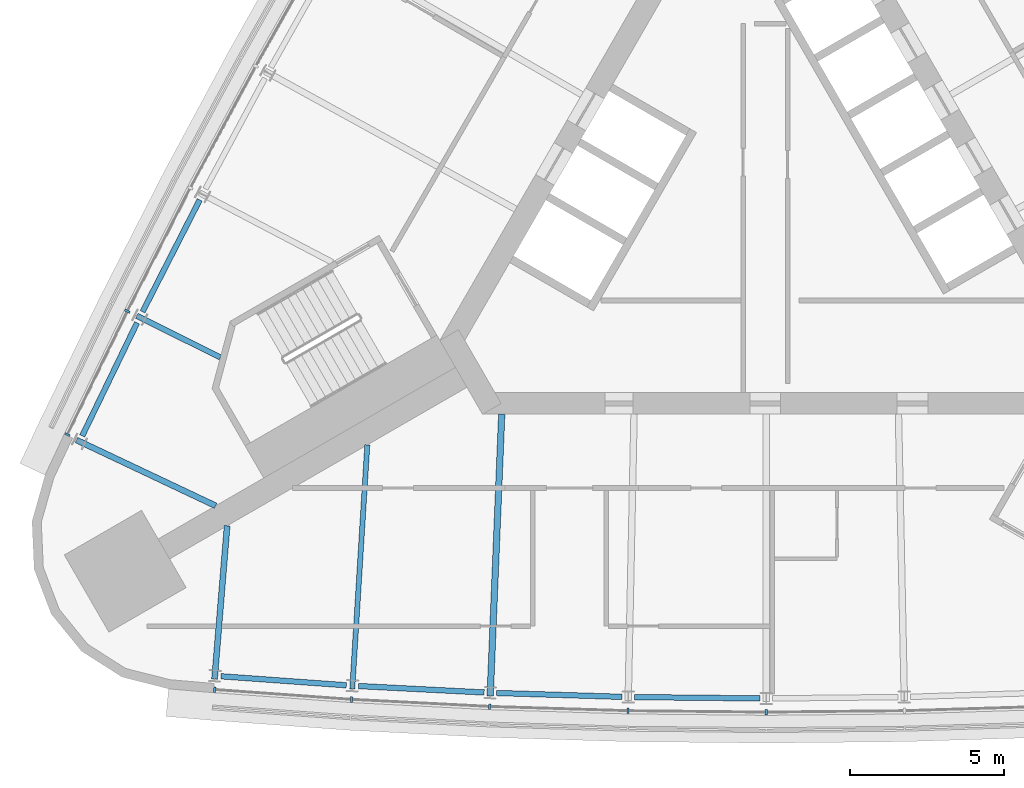
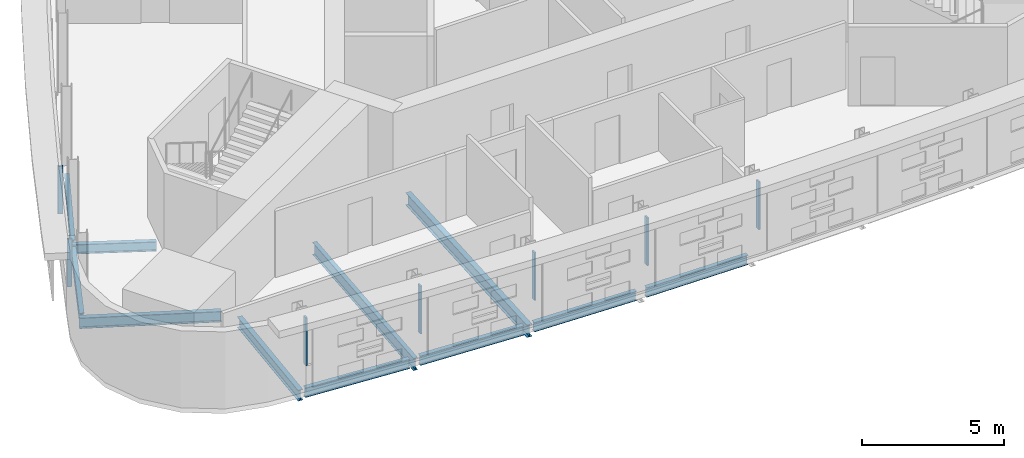
# One storey, part 2 of 13: 11 beams, 7 members, 2 elements without a shape of their own.
"""IFC4 building model written with IfcOpenShell, lengths in metres."""

import ifcopenshell
import ifcopenshell.guid

model = None  # the IFC model being written
_history = None  # IfcOwnerHistory: only IFC2X3 demands one
_inside = {}  # id of a spatial element -> (the spatial element, [elements in it])
_under = {}  # id of a project, library or spatial element -> (it, [spatial elements below it])
_declared = {}  # id of a project -> (the project, [libraries it declares])
_typed = {}  # id of a type object -> (the type object, [elements of that type])
_made_of = {}  # id of a material, layer set ... -> (it, [elements and type objects made of it])


def new_model(schema):
    """Start an empty IFC model of exactly this schema.

    Asked for "IFC4X3", IfcOpenShell would pick the latest addendum, in which some entities
    have other attributes; the version numbers below select the first issue.
    IFC2X3 requires an IfcOwnerHistory on every rooted entity: one is made here for all.
    """
    global model, _history
    if schema == "IFC4X3":
        model = ifcopenshell.file(schema_version=(4, 3, 0, 0))
    else:
        model = ifcopenshell.file(schema=schema)
    _inside.clear()
    _under.clear()
    _declared.clear()
    _typed.clear()
    _made_of.clear()
    _history = None
    if model.schema == "IFC2X3":
        org = make("IfcOrganization", Name="unknown")
        user = make(
            "IfcPersonAndOrganization",
            ThePerson=make("IfcPerson", FamilyName="unknown"),
            TheOrganization=org,
        )
        app = make(
            "IfcApplication",
            ApplicationDeveloper=org,
            Version="unknown",
            ApplicationFullName="unknown",
            ApplicationIdentifier="unknown",
        )
        _history = make(
            "IfcOwnerHistory",
            OwningUser=user,
            OwningApplication=app,
            ChangeAction="ADDED",
            CreationDate=0,
        )
    return model


def make(cls, **values):
    """One entity of the class cls with the attributes given. An attribute that is None is left unset."""
    return model.create_entity(
        cls, **{name: value for name, value in values.items() if value is not None}
    )


def rooted(cls, **values):
    """An entity with a GlobalId (a new one), such as an element, a storey or a relation."""
    return make(cls, GlobalId=ifcopenshell.guid.new(), OwnerHistory=_history, **values)


def si_unit(unit_type, name, prefix=None):
    """IfcSIUnit, for example si_unit("LENGTHUNIT", "METRE", prefix="MILLI")."""
    return make("IfcSIUnit", UnitType=unit_type, Prefix=prefix, Name=name)


def assignment(units):
    """IfcUnitAssignment: the units of a project."""
    return None if units is None else make("IfcUnitAssignment", Units=units)


def point(xyz):
    """IfcCartesianPoint."""
    return None if xyz is None else make("IfcCartesianPoint", Coordinates=xyz)


def direction(xyz):
    """IfcDirection."""
    return None if xyz is None else make("IfcDirection", DirectionRatios=xyz)


def frame(location, z_axis=None, x_axis=None):
    """IfcAxis2Placement3D, a coordinate frame: its origin and axes. An axis left out is left unset."""
    return make(
        "IfcAxis2Placement3D",
        Location=point(location),
        Axis=direction(z_axis),
        RefDirection=direction(x_axis),
    )


def frame_2d(location, x_axis=None):
    """IfcAxis2Placement2D, a coordinate frame in the plane: its origin and x axis."""
    return make(
        "IfcAxis2Placement2D", Location=point(location), RefDirection=direction(x_axis)
    )


def origin():
    """The frame at (0, 0, 0) with its axes left unset."""
    return frame((0.0, 0.0, 0.0))


def origin_2d():
    """The frame at (0, 0) in the plane with its x axis left unset."""
    return frame_2d((0.0, 0.0))


def place(relative_to, where):
    """IfcLocalPlacement: puts the frame where relative to a parent placement (None: the world)."""
    return make(
        "IfcLocalPlacement", PlacementRelTo=relative_to, RelativePlacement=where
    )


def context(
    kind, dimensions, precision=None, world=None, true_north=None, identifier=None
):
    """IfcGeometricRepresentationContext, for example the 3D "Model" context."""
    return make(
        "IfcGeometricRepresentationContext",
        ContextIdentifier=identifier,
        ContextType=kind,
        CoordinateSpaceDimension=dimensions,
        Precision=precision,
        WorldCoordinateSystem=world,
        TrueNorth=true_north,
    )


def subcontext(parent, identifier, kind, view, scale=None):
    """IfcGeometricRepresentationSubContext, for example "Body" below "Model"."""
    return make(
        "IfcGeometricRepresentationSubContext",
        ContextIdentifier=identifier,
        ContextType=kind,
        ParentContext=parent,
        TargetScale=scale,
        TargetView=view,
    )


def project(units=None, contexts=None):
    """IfcProject with its units and contexts."""
    return rooted(
        "IfcProject",
        Name="project",
        RepresentationContexts=contexts,
        UnitsInContext=assignment(units),
    )


def spatial(cls, under=None, at=None, **own):
    """A site, building, storey or space (cls), placed at a placement, below another one or the project."""
    s = rooted(cls, ObjectPlacement=at, **own)
    if under is not None:
        _under.setdefault(under.id(), (under, []))[1].append(s)
    return s


def profile(cls, at=None, kind="AREA", **sizes):
    """A parametric profile (cls). Its sizes go by their IFC names, for example OverallWidth=200.0."""
    return make(cls, ProfileType=kind, Position=at, **sizes)


def rectangle(**sizes):
    """IfcRectangleProfileDef."""
    return profile("IfcRectangleProfileDef", **sizes)


def i_section(**sizes):
    """IfcIShapeProfileDef."""
    return profile("IfcIShapeProfileDef", **sizes)


def extrude(swept, where, along, depth):
    """IfcExtrudedAreaSolid: the profile swept, set in the frame where, extruded along a direction by depth."""
    return make(
        "IfcExtrudedAreaSolid",
        SweptArea=swept,
        Position=where,
        ExtrudedDirection=direction(along),
        Depth=depth,
    )


def shape(context_of_items, identifier, shape_type, items):
    """IfcShapeRepresentation: the items that make up one representation, for example the "Body"."""
    return make(
        "IfcShapeRepresentation",
        ContextOfItems=context_of_items,
        RepresentationIdentifier=identifier,
        RepresentationType=shape_type,
        Items=items,
    )


def material(Name=None, Category=None):
    """IfcMaterial."""
    return make("IfcMaterial", Name=Name, Category=Category)


def material_profile(
    of_material, cross_section, Name=None, Category=None, Priority=None
):
    """IfcMaterialProfile: a cross section and its material."""
    return make(
        "IfcMaterialProfile",
        Name=Name,
        Material=of_material,
        Profile=cross_section,
        Priority=Priority,
        Category=Category,
    )


def profile_set(profiles, Name=None, composite=None):
    """IfcMaterialProfileSet."""
    return make(
        "IfcMaterialProfileSet",
        Name=Name,
        MaterialProfiles=profiles,
        CompositeProfile=composite,
    )


def made_of(thing, what):
    """Note that an element or type object is made of a material, layer set ...; save() writes the relation."""
    if what is not None:
        _made_of.setdefault(what.id(), (what, []))[1].append(thing)
    return thing


def type_object(cls, material=None, **own):
    """A type object (cls), such as IfcWallType, which elements share."""
    return made_of(rooted(cls, **own), material)


def element(
    cls,
    number,
    at=None,
    inside=None,
    cuts=None,
    type_object=None,
    material=None,
    context=None,
    identifier="Body",
    shape_type=None,
    held_by="IfcProductDefinitionShape",
    body=None,
    shapes=None,
    **own,
):
    """One element of the class cls, such as IfcWall. Its Tag is "e" and its number.

    at: its placement. inside: the storey or other place that contains it. cuts: it is an
    opening in that element (IfcRelVoidsElement). A single representation is given by context,
    identifier, shape_type and body (its items); several are given by shapes. held_by: the class
    of the entity that holds the representations. save() writes the other relations.
    """
    e = rooted(cls, Tag="e%d" % number, ObjectPlacement=at, **own)
    if body is not None:
        shapes = [shape(context, identifier, shape_type, body)]
    if shapes is not None:
        e.Representation = make(held_by, Representations=shapes)
    if inside is not None:
        _inside.setdefault(inside.id(), (inside, []))[1].append(e)
    if cuts is not None:
        rooted(
            "IfcRelVoidsElement", RelatingBuildingElement=cuts, RelatedOpeningElement=e
        )
    if type_object is not None:
        _typed.setdefault(type_object.id(), (type_object, []))[1].append(e)
    return made_of(e, material)


def aggregate(whole, parts):
    """IfcRelAggregates: a whole, such as a stair, and the parts it consists of."""
    return rooted("IfcRelAggregates", RelatingObject=whole, RelatedObjects=parts)


def save(model, path):
    """Write the relations noted so far, then the file.

    IfcRelAggregates (storeys below a building ...), IfcRelContainedInSpatialStructure (elements
    in a storey), IfcRelDefinesByType, IfcRelAssociatesMaterial and IfcRelDeclares: one each for
    every whole, place, type object, material and project.
    """
    for whole, parts in _under.values():
        aggregate(whole, parts)
    for where, things in _inside.values():
        rooted(
            "IfcRelContainedInSpatialStructure",
            RelatedElements=things,
            RelatingStructure=where,
        )
    for kind, things in _typed.values():
        rooted("IfcRelDefinesByType", RelatedObjects=things, RelatingType=kind)
    for what, things in _made_of.values():
        rooted("IfcRelAssociatesMaterial", RelatedObjects=things, RelatingMaterial=what)
    for by, libraries in _declared.values():
        rooted("IfcRelDeclares", RelatingContext=by, RelatedDefinitions=libraries)
    model.write(path)


model = new_model("IFC4")

# Units and contexts
model_context = context("Model", 3, precision=1e-05, world=origin(), true_north=direction((0.0, 1.0)))
body_context = subcontext(model_context, "Body", "Model", "MODEL_VIEW")
ifc_project = project(units=[si_unit("LENGTHUNIT", "METRE"), si_unit("AREAUNIT", "SQUARE_METRE"), si_unit("VOLUMEUNIT", "CUBIC_METRE"), si_unit("PLANEANGLEUNIT", "RADIAN"), si_unit("MASSUNIT", "GRAM", prefix="KILO")], contexts=[model_context])

# Site, building, storey
site_placement = place(None, origin())
site = spatial("IfcSite", under=ifc_project, at=site_placement, CompositionType="ELEMENT")
building_placement = place(site_placement, origin())
building = spatial("IfcBuilding", under=site, at=building_placement, Name="Noor Cloister Tower", CompositionType="ELEMENT")
storey_placement = place(building_placement, frame((0.0, 0.0, 147.300048828125)))
storey = spatial("IfcBuildingStorey", under=building, at=storey_placement, Name="L37", CompositionType="ELEMENT", Elevation=147.300048828125)

# Curtain wall, members
ifc_material_1 = material(Name="Aluminium 6063-T6 anodised", Category="aluminium")
curtain_wall_type = type_object("IfcCurtainWallType", Name="Ribbon curtain wall, upper tower CW5", PredefinedType="NOTDEFINED", material=ifc_material_1)
curtain_wall_1_placement = place(storey_placement, origin())
curtain_wall_1 = element("IfcCurtainWall", 1, at=curtain_wall_1_placement, inside=storey, type_object=curtain_wall_type, Name="CW5 L37 NW run 1", PredefinedType="NOTDEFINED")
ifc_material_2 = material(Name="Aluminium 6063-T6 anodised", Category="aluminium")
ifc_material_profile_1 = material_profile(ifc_material_2, rectangle(XDim=0.179931640625, YDim=0.070068359375, at=origin_2d()), Name="180 x 70 mullion")
ifc_profile_set_1 = profile_set([ifc_material_profile_1], Name="Aluminium 6063-T6 anodised")
member_type = type_object("IfcMemberType", Name="Mullion CW5 70 x 180", PredefinedType="MULLION", material=ifc_profile_set_1)
member_1_placement = place(storey_placement, frame((-20.77880859375, -3.57470703125, 1.099853515625), z_axis=(0.0, 0.0, 1.0), x_axis=(0.895123310211, -0.445818639714, 0.0)))
member_1 = element("IfcMember", 2, at=member_1_placement, type_object=member_type, Name="CW5 mullion 8", PredefinedType="MULLION", context=body_context, shape_type="SweptSolid", body=[
    extrude(rectangle(XDim=0.179931640625, YDim=0.070068359375, at=origin_2d()), origin(), (0.0, 0.0, 1.0), 2.050048828125),
])
member_2_placement = place(storey_placement, frame((-22.72802734375, -7.5908203125, 1.099853515625), z_axis=(0.0, 0.0, 1.0), x_axis=(0.899646590882, -0.436618840081, 0.0)))
member_2 = element("IfcMember", 3, at=member_2_placement, type_object=member_type, Name="CW5 mullion 9", PredefinedType="MULLION", context=body_context, shape_type="SweptSolid", body=[
    extrude(rectangle(XDim=0.179931640625, YDim=0.070068359375, at=origin_2d()), origin(), (0.0, 0.0, 1.0), 2.050048828125),
])
aggregate(curtain_wall_1, [member_1, member_2])

curtain_wall_2_placement = place(storey_placement, origin())
curtain_wall_2 = element("IfcCurtainWall", 4, at=curtain_wall_2_placement, inside=storey, type_object=curtain_wall_type, Name="CW5 L37 S run 2", PredefinedType="NOTDEFINED")
member_3_placement = place(storey_placement, frame((-17.937744140625, -15.8876953125, 1.099853515625), z_axis=(0.0, 0.0, 1.0), x_axis=(0.07170028816, 0.997426222173, 0.0)))
member_3 = element("IfcMember", 5, at=member_3_placement, type_object=member_type, Name="CW5 mullion 1", PredefinedType="MULLION", context=body_context, shape_type="SweptSolid", body=[
    extrude(rectangle(XDim=0.179931640625, YDim=0.070068359375, at=origin_2d()), origin(), (0.0, 0.0, 1.0), 2.050048828125),
])
member_4_placement = place(storey_placement, frame((-13.4853515625, -16.20751953125, 1.099853515625), z_axis=(0.0, 0.0, 1.0), x_axis=(0.061471387632, 0.99810884602, 0.0)))
member_4 = element("IfcMember", 6, at=member_4_placement, type_object=member_type, Name="CW5 mullion 2", PredefinedType="MULLION", context=body_context, shape_type="SweptSolid", body=[
    extrude(rectangle(XDim=0.179931640625, YDim=0.070068359375, at=origin_2d()), origin(), (0.0, 0.0, 1.0), 2.050048828125),
])
member_5_placement = place(storey_placement, frame((-8.993408203125, -16.43798828125, 1.099853515625), z_axis=(0.0, 0.0, 1.0), x_axis=(0.040995281015, 0.999159340113, 0.0)))
member_5 = element("IfcMember", 7, at=member_5_placement, type_object=member_type, Name="CW5 mullion 3", PredefinedType="MULLION", context=body_context, shape_type="SweptSolid", body=[
    extrude(rectangle(XDim=0.179931640625, YDim=0.070068359375, at=origin_2d()), origin(), (0.0, 0.0, 1.0), 2.050048828125),
])
member_6_placement = place(storey_placement, frame((-4.49755859375, -16.576416015625, 1.099853515625), z_axis=(0.0, 0.0, 1.0), x_axis=(0.020501958477, 0.99978981276, 0.0)))
member_6 = element("IfcMember", 8, at=member_6_placement, type_object=member_type, Name="CW5 mullion 4", PredefinedType="MULLION", context=body_context, shape_type="SweptSolid", body=[
    extrude(rectangle(XDim=0.179931640625, YDim=0.070068359375, at=origin_2d()), origin(), (0.0, 0.0, 1.0), 2.050048828125),
])
member_7_placement = place(storey_placement, frame((0.0, -16.62255859375, 1.099853515625), z_axis=(0.0, 0.0, 1.0), x_axis=(0.0, 1.0, 0.0)))
member_7 = element("IfcMember", 9, at=member_7_placement, type_object=member_type, Name="CW5 mullion 5", PredefinedType="MULLION", context=body_context, shape_type="SweptSolid", body=[
    extrude(rectangle(XDim=0.179931640625, YDim=0.070068359375, at=origin_2d()), origin(), (0.0, 0.0, 1.0), 2.050048828125),
])
aggregate(curtain_wall_2, [member_3, member_4, member_5, member_6, member_7])

# Beams
ifc_material_3 = material(Name="Steel ASTM A992 Gr 50", Category="steel")
ifc_material_profile_2 = material_profile(ifc_material_3, i_section(OverallWidth=0.177978515625, OverallDepth=0.406005859375, WebThickness=0.0078125, FlangeThickness=0.0126953125, FilletRadius=0.01025390625, at=origin_2d()), Name="W410x60")
ifc_profile_set_2 = profile_set([ifc_material_profile_2], Name="Steel ASTM A992 Gr 50")
beam_type_1 = type_object("IfcBeamType", Name="Radial beam W410x60", PredefinedType="BEAM", material=ifc_profile_set_2)
beam_1_placement = place(storey_placement, frame((-20.471923828125, -3.727783203125, -0.403076171875), z_axis=(0.895133560112, -0.445798059172, 0.0), x_axis=(0.445798059172, 0.895133560112, 0.0)))
element("IfcBeam", 10, at=beam_1_placement, inside=storey, type_object=beam_type_1, Name="Radial beam NW 08 L37", PredefinedType="BEAM", context=body_context, shape_type="SweptSolid", body=[
    extrude(i_section(OverallWidth=0.177978515625, OverallDepth=0.406005859375, WebThickness=0.0078125, FlangeThickness=0.0126953125, FilletRadius=0.01025390625, at=origin_2d()), origin(), (0.0, 0.0, 1.0), 3.03662109375),
])
ifc_material_4 = material(Name="Steel ASTM A992 Gr 50", Category="steel")
ifc_material_profile_3 = material_profile(ifc_material_4, i_section(OverallWidth=0.19091796875, OverallDepth=0.45703125, WebThickness=0.009033203125, FlangeThickness=0.014404296875, FilletRadius=0.01025390625, at=origin_2d()), Name="W460x74")
ifc_profile_set_3 = profile_set([ifc_material_profile_3], Name="Steel ASTM A992 Gr 50")
beam_type_2 = type_object("IfcBeamType", Name="Radial beam W460x74", PredefinedType="BEAM", material=ifc_profile_set_3)
for number, where, z_axis, x_axis, name in (
    (11, (-22.4326171875, -7.767822265625, -0.428466796875), (0.90406541137, -0.427394117841, 0.0), (0.427394117841, 0.90406541137, 0.0), "Radial beam NW 09 L37"),
    (12, (-17.943603515625, -15.543212890625, -0.428466796875), (0.081918876105, 0.996639000711, 0.0), (-0.996639000711, 0.081918876105, 0.0), "Radial beam S 01 L37"),
):
    element("IfcBeam", number, at=place(storey_placement, frame(where, z_axis=z_axis, x_axis=x_axis)), inside=storey, type_object=beam_type_2, Name=name, PredefinedType="BEAM", context=body_context, shape_type="SweptSolid", body=[
        extrude(i_section(OverallWidth=0.19091796875, OverallDepth=0.45703125, WebThickness=0.009033203125, FlangeThickness=0.014404296875, FilletRadius=0.01025390625, at=origin_2d()), origin(), (0.0, 0.0, 1.0), 5.00390625),
    ])
ifc_material_5 = material(Name="Steel ASTM A992 Gr 50", Category="steel")
ifc_material_profile_4 = material_profile(ifc_material_5, i_section(OverallWidth=0.166015625, OverallDepth=0.528076171875, WebThickness=0.009765625, FlangeThickness=0.013671875, FilletRadius=0.0126953125, at=origin_2d()), Name="W530x74")
ifc_profile_set_4 = profile_set([ifc_material_profile_4], Name="Steel ASTM A992 Gr 50")
beam_type_3 = type_object("IfcBeamType", Name="Radial beam W530x74", PredefinedType="BEAM", material=ifc_profile_set_4)
beam_2_placement = place(storey_placement, frame((-13.46435546875, -15.865234375, -0.464111328125), z_axis=(0.061495638374, 0.998107352173, 0.0), x_axis=(-0.998107352173, 0.061495638374, 0.0)))
element("IfcBeam", 13, at=beam_2_placement, inside=storey, type_object=beam_type_3, Name="Radial beam S 02 L37", PredefinedType="BEAM", context=body_context, shape_type="SweptSolid", body=[
    extrude(i_section(OverallWidth=0.166015625, OverallDepth=0.528076171875, WebThickness=0.009765625, FlangeThickness=0.013671875, FilletRadius=0.0126953125, at=origin_2d()), origin(), (0.0, 0.0, 1.0), 7.9560546875),
])
ifc_material_6 = material(Name="Steel ASTM A992 Gr 50", Category="steel")
ifc_material_profile_5 = material_profile(ifc_material_6, i_section(OverallWidth=0.208984375, OverallDepth=0.532958984375, WebThickness=0.01025390625, FlangeThickness=0.015625, FilletRadius=0.0126953125, at=origin_2d()), Name="W530x92")
ifc_profile_set_5 = profile_set([ifc_material_profile_5], Name="Steel ASTM A992 Gr 50")
beam_type_4 = type_object("IfcBeamType", Name="Radial beam W530x92", PredefinedType="BEAM", material=ifc_profile_set_5)
beam_3_placement = place(storey_placement, frame((-8.979248046875, -16.095458984375, -0.466552734375), z_axis=(0.040978626219, 0.999160023316, 0.0), x_axis=(-0.999160023316, 0.040978626219, 0.0)))
element("IfcBeam", 14, at=beam_3_placement, inside=storey, type_object=beam_type_4, Name="Radial beam S 03 L37", PredefinedType="BEAM", context=body_context, shape_type="SweptSolid", body=[
    extrude(i_section(OverallWidth=0.208984375, OverallDepth=0.532958984375, WebThickness=0.01025390625, FlangeThickness=0.015625, FilletRadius=0.0126953125, at=origin_2d()), origin(), (0.0, 0.0, 1.0), 9.175048828125),
])
ifc_material_7 = material(Name="Steel ASTM A992 Gr 50", Category="steel")
ifc_material_profile_6 = material_profile(ifc_material_7, i_section(OverallWidth=0.177978515625, OverallDepth=0.406005859375, WebThickness=0.0078125, FlangeThickness=0.0126953125, FilletRadius=0.01025390625, at=origin_2d()), Name="W410x60")
ifc_profile_set_6 = profile_set([ifc_material_profile_6], Name="Steel ASTM A992 Gr 50")
beam_type_5 = type_object("IfcBeamType", Name="Spandrel beam W410x60", PredefinedType="SPANDREL", material=ifc_profile_set_6)
beam_4_placement = place(storey_placement, frame((-18.424560546875, 0.0439453125, -0.403076171875), z_axis=(-0.455004823402, -0.890488972801, 0.0), x_axis=(0.890488972801, -0.455004823402, 0.0)))
element("IfcBeam", 15, at=beam_4_placement, inside=storey, type_object=beam_type_5, Name="Spandrel beam NW 07 L37", PredefinedType="SPANDREL", context=body_context, shape_type="SweptSolid", body=[
    extrude(i_section(OverallWidth=0.177978515625, OverallDepth=0.406005859375, WebThickness=0.0078125, FlangeThickness=0.0126953125, FilletRadius=0.01025390625, at=origin_2d()), origin(), (0.0, 0.0, 1.0), 4.089599609375),
])
beam_5_placement = place(storey_placement, frame((-20.463134765625, -3.954833984375, -0.403076171875), z_axis=(-0.436604481066, -0.899653559495, 0.0), x_axis=(0.899653559495, -0.436604481066, 0.0)))
element("IfcBeam", 16, at=beam_5_placement, inside=storey, type_object=beam_type_5, Name="Spandrel beam NW 08 L37", PredefinedType="SPANDREL", context=body_context, shape_type="SweptSolid", body=[
    extrude(i_section(OverallWidth=0.177978515625, OverallDepth=0.406005859375, WebThickness=0.0078125, FlangeThickness=0.0126953125, FilletRadius=0.01025390625, at=origin_2d()), origin(), (0.0, 0.0, 1.0), 4.08984375),
])
beam_6_placement = place(storey_placement, frame((-17.73583984375, -15.450927734375, -0.403076171875), z_axis=(0.997426476939, -0.071696744003, 0.0), x_axis=(0.071696744003, 0.997426476939, 0.0)))
element("IfcBeam", 17, at=beam_6_placement, inside=storey, type_object=beam_type_5, Name="Spandrel beam S 01 L37", PredefinedType="SPANDREL", context=body_context, shape_type="SweptSolid", body=[
    extrude(i_section(OverallWidth=0.177978515625, OverallDepth=0.406005859375, WebThickness=0.0078125, FlangeThickness=0.0126953125, FilletRadius=0.01025390625, at=origin_2d()), origin(), (0.0, 0.0, 1.0), 4.089599609375),
])
for number, where, z_axis, x_axis, name in (
    (18, (-13.258544921875, -15.768798828125, -0.403076171875), (0.998687506896, -0.051217805195, 0.0), (0.051217805195, 0.998687506896, 0.0), "Spandrel beam S 02 L37"),
    (19, (-8.775634765625, -15.99462890625, -0.403076171875), (0.99952733001, -0.030742748146, 0.0), (0.030742748146, 0.99952733001, 0.0), "Spandrel beam S 03 L37"),
):
    element("IfcBeam", number, at=place(storey_placement, frame(where, z_axis=z_axis, x_axis=x_axis)), inside=storey, type_object=beam_type_5, Name=name, PredefinedType="SPANDREL", context=body_context, shape_type="SweptSolid", body=[
        extrude(i_section(OverallWidth=0.177978515625, OverallDepth=0.406005859375, WebThickness=0.0078125, FlangeThickness=0.0126953125, FilletRadius=0.01025390625, at=origin_2d()), origin(), (0.0, 0.0, 1.0), 4.08984375),
    ])
beam_7_placement = place(storey_placement, frame((-4.288818359375, -16.128662109375, -0.403076171875), z_axis=(0.99994789269, -0.010208423263, 0.0), x_axis=(0.010208423263, 0.99994789269, 0.0)))
element("IfcBeam", 20, at=beam_7_placement, inside=storey, type_object=beam_type_5, Name="Spandrel beam S 04 L37", PredefinedType="SPANDREL", context=body_context, shape_type="SweptSolid", body=[
    extrude(i_section(OverallWidth=0.177978515625, OverallDepth=0.406005859375, WebThickness=0.0078125, FlangeThickness=0.0126953125, FilletRadius=0.01025390625, at=origin_2d()), origin(), (0.0, 0.0, 1.0), 4.089599609375),
])

save(model, "model.ifc")
